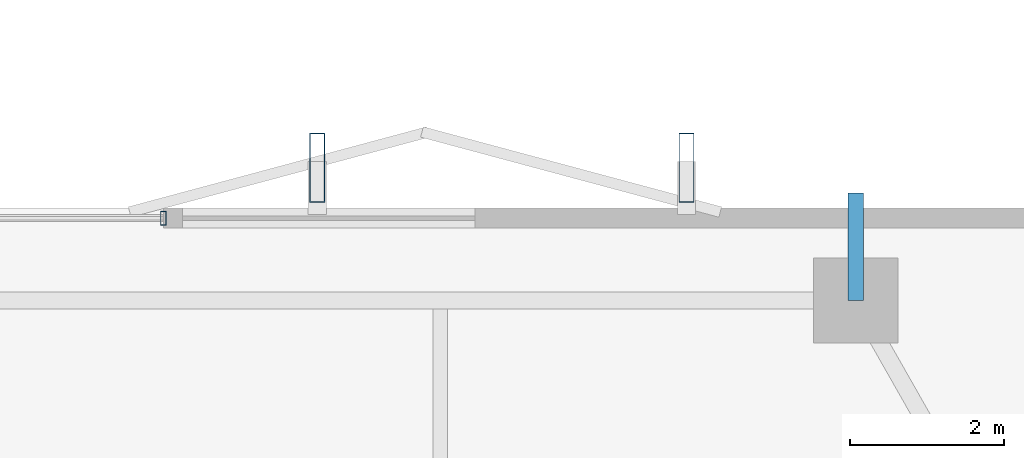
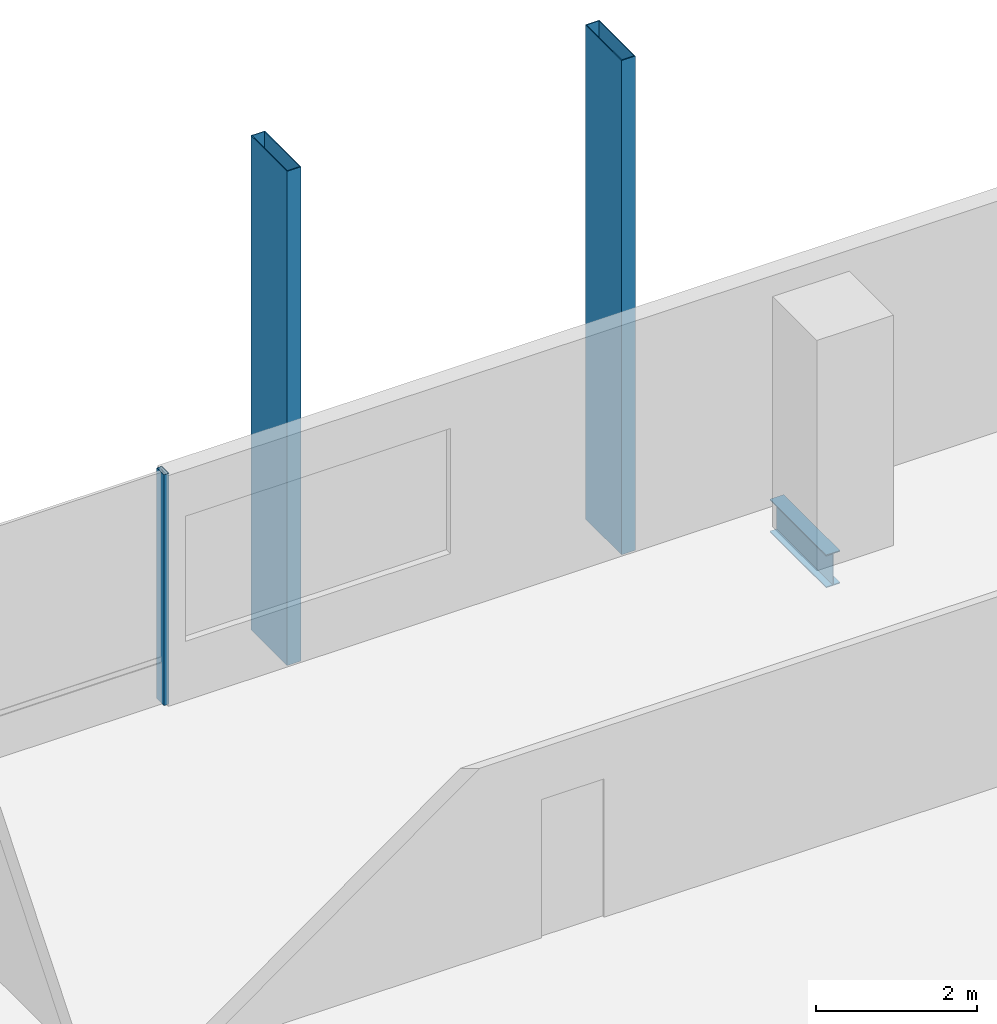
# One storey, part 15 of 24: 3 members, 1 beam, 1 element without a shape of its own.
"""IFC4 building model written with IfcOpenShell, lengths in metres."""

from ifc_helpers import new_model, si_unit, direction, frame, origin, origin_2d, place, context, subcontext, project, spatial, hollow_rectangle, i_section, extrude, material, layer, layer_set, material_profile, profile_set, type_object, element, aggregate, save


model = new_model("IFC4")

# Units and contexts
model_context = context("Model", 3, precision=1e-05, world=origin(), true_north=direction((0.0, 1.0)))
body_context = subcontext(model_context, "Body", "Model", "MODEL_VIEW")
ifc_project = project(units=[si_unit("LENGTHUNIT", "METRE"), si_unit("AREAUNIT", "SQUARE_METRE"), si_unit("VOLUMEUNIT", "CUBIC_METRE"), si_unit("PLANEANGLEUNIT", "RADIAN"), si_unit("MASSUNIT", "GRAM", prefix="KILO")], contexts=[model_context])

# Site, building, storey
site_placement = place(None, origin())
site = spatial("IfcSite", under=ifc_project, at=site_placement, CompositionType="ELEMENT")
building_placement = place(site_placement, origin())
building = spatial("IfcBuilding", under=site, at=building_placement, Name="Belovzor Exchange Tower", CompositionType="ELEMENT")
storey_placement = place(building_placement, frame((0.0, 0.0, 226.199951171875)))
storey = spatial("IfcBuildingStorey", under=building, at=storey_placement, Name="L56", CompositionType="ELEMENT", Elevation=226.199951171875)

# Beam
ifc_material_1 = material(Name="Steel S355", Category="steel")
ifc_material_profile_1 = material_profile(ifc_material_1, i_section(OverallWidth=0.199951171875, OverallDepth=0.5, WebThickness=0.01025390625, FlangeThickness=0.01611328125, at=origin_2d()))
ifc_profile_set_1 = profile_set([ifc_material_profile_1], Name="Steel S355")
beam_type = type_object("IfcBeamType", Name="Planted Balcony Cantilever Beam IPE 500", PredefinedType="BEAM", material=ifc_profile_set_1)
beam_placement = place(storey_placement, frame((42.60009765625, 54.60009765625, -0.5), z_axis=(0.0, 1.0, 0.0), x_axis=(-1.0, 0.0, 0.0)))
element("IfcBeam", 1, at=beam_placement, inside=storey, type_object=beam_type, Name="BC-500 Planted Balcony Cantilever Beam IPE 500", PredefinedType="BEAM", context=body_context, shape_type="SweptSolid", body=[
    extrude(i_section(OverallWidth=0.199951171875, OverallDepth=0.5, WebThickness=0.01025390625, FlangeThickness=0.01611328125, at=origin_2d()), origin(), (0.0, 0.0, 1.0), 1.39990234375),
])

# Members
ifc_material_2 = material(Name="Extruded Architectural Terracotta on Steel S355 Carrier", Category="masonry")
ifc_material_profile_2 = material_profile(ifc_material_2, hollow_rectangle(XDim=0.199951171875, YDim=0.89990234375, WallThickness=0.011962890625, at=origin_2d()))
ifc_profile_set_2 = profile_set([ifc_material_profile_2], Name="Extruded Architectural Terracotta on Steel S355 Carrier")
member_type_1 = type_object("IfcMemberType", Name="Sweeping Terracotta Baguette Fin Assembly 950", PredefinedType="USERDEFINED", material=ifc_profile_set_2)
for number, where, z_axis, x_axis, name in (
    (2, (35.60009765625, 56.324951171875, -0.25), (0.0, 0.0, 1.0), (1.0, 0.0, 0.0), "FIN-TC095 Terracotta Facade Fin L56 N3"),
    (3, (40.39990234375, 56.324951171875, -0.25), (0.0, 0.0, 1.0), (1.0, 0.0, 0.0), "FIN-TC095 Terracotta Facade Fin L56 N4"),
):
    element("IfcMember", number, at=place(storey_placement, frame(where, z_axis=z_axis, x_axis=x_axis)), inside=storey, type_object=member_type_1, Name=name, ObjectType="FIN", PredefinedType="USERDEFINED", context=body_context, shape_type="SweptSolid", body=[
        extrude(hollow_rectangle(XDim=0.199951171875, YDim=0.89990234375, WallThickness=0.011962890625, at=origin_2d()), origin(), (0.0, 0.0, 1.0), 7.5),
    ])

# Curtain wall, member
ifc_material_3 = material(Name="Anodised Aluminium Framing", Category="aluminium")
ifc_layer = layer(ifc_material_3, 0.179931640625)
ifc_layer_set = layer_set([ifc_layer], Name="Anodised Aluminium Framing")
curtain_wall_type = type_object("IfcCurtainWallType", Name="Recessed Loggia Low-Iron Triple-Glazed Curtain Wall", PredefinedType="NOTDEFINED", material=ifc_layer_set)
curtain_wall_placement = place(storey_placement, origin())
curtain_wall = element("IfcCurtainWall", 4, at=curtain_wall_placement, inside=storey, type_object=curtain_wall_type, Name="CW3 Recessed Loggia Low-Iron Triple-Glazed Curtain Wall L56", PredefinedType="NOTDEFINED")
ifc_material_4 = material(Name="Steel S355", Category="steel")
ifc_material_profile_3 = material_profile(ifc_material_4, hollow_rectangle(XDim=0.074951171875, YDim=0.179931640625, WallThickness=0.0048828125, at=origin_2d()))
ifc_profile_set_3 = profile_set([ifc_material_profile_3], Name="Steel S355")
member_type_2 = type_object("IfcMemberType", Name="Thermally Broken Curtain Wall Mullion 180x75", PredefinedType="MULLION", material=ifc_profile_set_3)
member_placement = place(storey_placement, frame((33.60009765625, 55.669921875, 0.0), z_axis=(0.0, 0.0, 1.0), x_axis=(1.0, 0.0, 0.0)))
member = element("IfcMember", 5, at=member_placement, type_object=member_type_2, Name="CW-M180 Curtain Wall Mullion 4", PredefinedType="MULLION", context=body_context, shape_type="SweptSolid", body=[
    extrude(hollow_rectangle(XDim=0.074951171875, YDim=0.179931640625, WallThickness=0.0048828125, at=origin_2d()), origin(), (0.0, 0.0, 1.0), 3.5),
])
aggregate(curtain_wall, [member])

save(model, "model.ifc")
